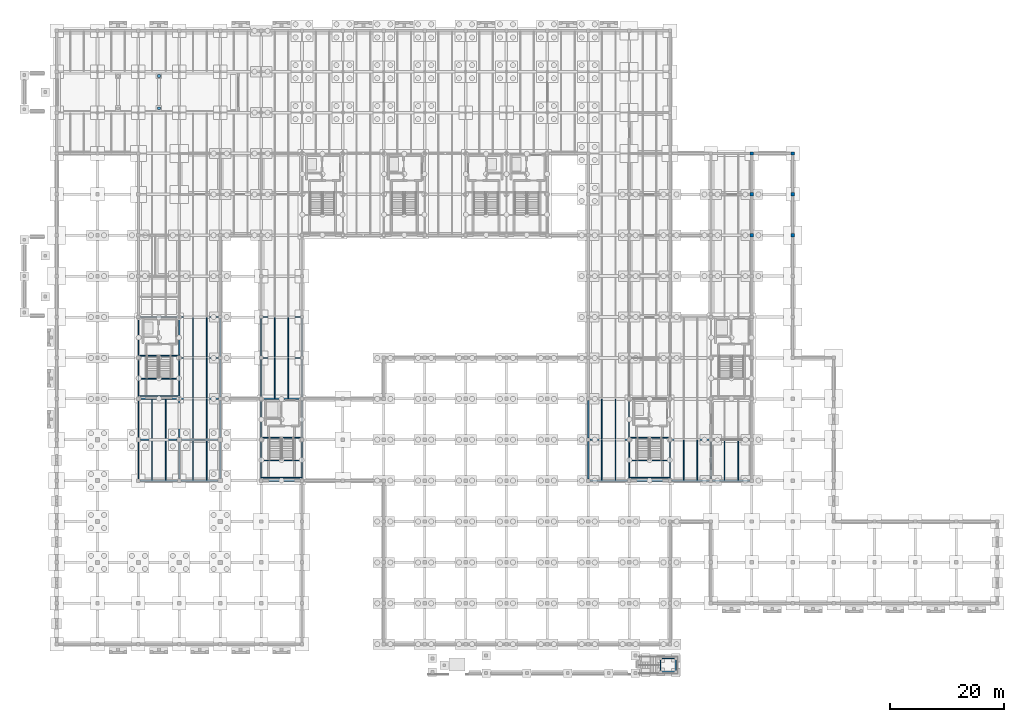
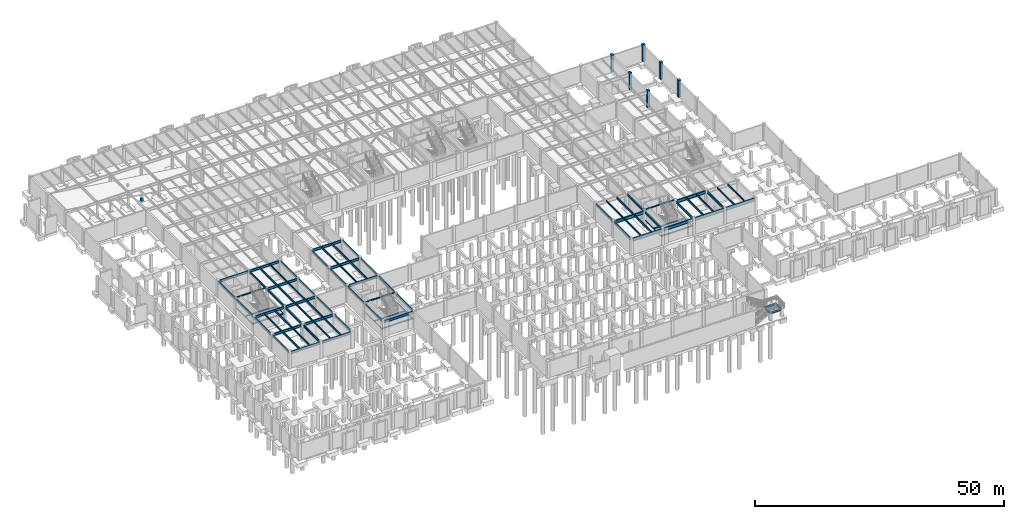
# One storey, part 23 of 46: 88 beams, 8 columns.
"""IFC4 building model written with IfcOpenShell, lengths in metres."""

from ifc_helpers import new_model, si_unit, direction, frame, origin, origin_2d, place, context, subcontext, project, spatial, rectangle, i_section, extrude, material, material_profile, profile_set, type_object, element, save


model = new_model("IFC4")

# Units and contexts
model_context = context("Model", 3, precision=1e-05, world=origin(), true_north=direction((0.0, 1.0)))
body_context = subcontext(model_context, "Body", "Model", "MODEL_VIEW")
ifc_project = project(units=[si_unit("LENGTHUNIT", "METRE"), si_unit("AREAUNIT", "SQUARE_METRE"), si_unit("VOLUMEUNIT", "CUBIC_METRE"), si_unit("PLANEANGLEUNIT", "RADIAN"), si_unit("MASSUNIT", "GRAM", prefix="KILO")], contexts=[model_context])

# Site, building, storey
site_placement = place(None, origin())
site = spatial("IfcSite", under=ifc_project, at=site_placement, CompositionType="ELEMENT")
building_placement = place(site_placement, origin())
building = spatial("IfcBuilding", under=site, at=building_placement, Name="Sillqori Civic Hall", CompositionType="ELEMENT")
storey_placement = place(building_placement, frame((0.0, 0.0, -4.199951171875)))
storey = spatial("IfcBuildingStorey", under=building, at=storey_placement, Name="B01", CompositionType="ELEMENT", Elevation=-4.199951171875)

# Columns
ifc_material_1 = material(Name="Concrete C35/45 (H35)", Category="concrete")
ifc_material_profile_1 = material_profile(ifc_material_1, rectangle(XDim=0.5, YDim=0.5, at=origin_2d()), Name="RC 500x500")
ifc_profile_set_1 = profile_set([ifc_material_profile_1], Name="Concrete C35/45 (H35)")
column_type_1 = type_object("IfcColumnType", Name="COL-RC500", PredefinedType="COLUMN", material=ifc_profile_set_1)
for number, where, z_axis, x_axis, name in (
    (1, (25.199951171875, 101.550048828125, 0.0), (0.0, 0.0, 1.0), (1.0, 0.0, 0.0), "Vehicle ramp bent 2 pier 1"),
    (2, (25.199951171875, 107.25, 0.0), (0.0, 0.0, 1.0), (1.0, 0.0, 0.0), "Vehicle ramp bent 2 pier 2"),
):
    element("IfcColumn", number, at=place(storey_placement, frame(where, z_axis=z_axis, x_axis=x_axis)), inside=storey, type_object=column_type_1, Name=name, PredefinedType="COLUMN", context=body_context, shape_type="SweptSolid", body=[
        extrude(rectangle(XDim=0.5, YDim=0.5, at=origin_2d()), origin(), (0.0, 0.0, 1.0), 0.6982421875),
    ])
ifc_material_profile_2 = material_profile(ifc_material_1, rectangle(XDim=0.60009765625, YDim=0.60009765625, at=origin_2d()), Name="RC 600x600")
ifc_profile_set_2 = profile_set([ifc_material_profile_2], Name="Concrete C35/45 (H35)")
column_type_2 = type_object("IfcColumnType", Name="COL-RC600", PredefinedType="COLUMN", material=ifc_profile_set_2)
for number, where, z_axis, x_axis, name in (
    (3, (129.60009765625, 79.199951171875, 0.0), (0.0, 0.0, 1.0), (1.0, 0.0, 0.0), "B01 column 18-11"),
    (4, (129.60009765625, 86.39990234375, 0.0), (0.0, 0.0, 1.0), (1.0, 0.0, 0.0), "B01 column 18-12"),
    (5, (129.60009765625, 93.60009765625, 0.0), (0.0, 0.0, 1.0), (1.0, 0.0, 0.0), "B01 column 18-13"),
    (6, (136.800048828125, 79.199951171875, 0.0), (0.0, 0.0, 1.0), (1.0, 0.0, 0.0), "B01 column 19-11"),
    (7, (136.800048828125, 86.39990234375, 0.0), (0.0, 0.0, 1.0), (1.0, 0.0, 0.0), "B01 column 19-12"),
    (8, (136.800048828125, 93.60009765625, 0.0), (0.0, 0.0, 1.0), (1.0, 0.0, 0.0), "B01 column 19-13"),
):
    element("IfcColumn", number, at=place(storey_placement, frame(where, z_axis=z_axis, x_axis=x_axis)), inside=storey, type_object=column_type_2, Name=name, PredefinedType="COLUMN", context=body_context, shape_type="SweptSolid", body=[
        extrude(rectangle(XDim=0.60009765625, YDim=0.60009765625, at=origin_2d()), origin(), (0.0, 0.0, 1.0), 4.199951171875),
    ])

# Beams
ifc_material_2 = material(Name="Steel ASTM A992", Category="steel")
ifc_material_profile_3 = material_profile(ifc_material_2, i_section(OverallWidth=0.19091796875, OverallDepth=0.4599609375, WebThickness=0.010009765625, FlangeThickness=0.01611328125, FilletRadius=0.012939453125, at=origin_2d()), Name="W18X55")
ifc_profile_set_3 = profile_set([ifc_material_profile_3], Name="Steel ASTM A992")
beam_type_1 = type_object("IfcBeamType", Name="BM-W18X55", PredefinedType="BEAM", material=ifc_profile_set_3)
for number, where, z_axis, x_axis, name in (
    (9, (113.550048828125, 2.35009765625, 1.669921875), (1.0, 0.0, 0.0), (0.0, 1.0, 0.0), "Forecourt exterior stair landing beam 1"),
    (10, (113.550048828125, 4.64990234375, 1.669921875), (1.0, 0.0, 0.0), (0.0, 1.0, 0.0), "Forecourt exterior stair landing beam 2"),
):
    element("IfcBeam", number, at=place(storey_placement, frame(where, z_axis=z_axis, x_axis=x_axis)), inside=storey, type_object=beam_type_1, Name=name, PredefinedType="BEAM", context=body_context, shape_type="SweptSolid", body=[
        extrude(i_section(OverallWidth=0.19091796875, OverallDepth=0.4599609375, WebThickness=0.010009765625, FlangeThickness=0.01611328125, FilletRadius=0.012939453125, at=origin_2d()), origin(), (0.0, 0.0, 1.0), 2.64990234375),
    ])
for number, where, z_axis, x_axis, name in (
    (11, (113.550048828125, 2.35009765625, 1.669921875), (0.0, 1.0, 0.0), (-1.0, 0.0, 0.0), "Forecourt exterior stair landing beam 3"),
    (12, (116.199951171875, 2.35009765625, 1.669921875), (0.0, 1.0, 0.0), (-1.0, 0.0, 0.0), "Forecourt exterior stair landing beam 4"),
):
    element("IfcBeam", number, at=place(storey_placement, frame(where, z_axis=z_axis, x_axis=x_axis)), inside=storey, type_object=beam_type_1, Name=name, PredefinedType="BEAM", context=body_context, shape_type="SweptSolid", body=[
        extrude(i_section(OverallWidth=0.19091796875, OverallDepth=0.4599609375, WebThickness=0.010009765625, FlangeThickness=0.01611328125, FilletRadius=0.012939453125, at=origin_2d()), origin(), (0.0, 0.0, 1.0), 2.2998046875),
    ])
ifc_material_profile_4 = material_profile(ifc_material_2, i_section(OverallWidth=0.2099609375, OverallDepth=0.532958984375, WebThickness=0.01025390625, FlangeThickness=0.015625, FilletRadius=0.013916015625, at=origin_2d()), Name="W21X62")
ifc_profile_set_4 = profile_set([ifc_material_profile_4], Name="Steel ASTM A992")
beam_type_2 = type_object("IfcBeamType", Name="BM-W21X62", PredefinedType="BEAM", material=ifc_profile_set_4)
beam_1_placement = place(storey_placement, frame((21.60009765625, 36.2939453125, 3.71337890625), z_axis=(0.0, 1.0, 0.0), x_axis=(-1.0, 0.0, 0.0)))
element("IfcBeam", 13, at=beam_1_placement, inside=storey, type_object=beam_type_2, Name="B01 girder Y 3-5", PredefinedType="BEAM", context=body_context, shape_type="SweptSolid", body=[
    extrude(i_section(OverallWidth=0.2099609375, OverallDepth=0.532958984375, WebThickness=0.01025390625, FlangeThickness=0.015625, FilletRadius=0.013916015625, at=origin_2d()), origin(), (0.0, 0.0, 1.0), 6.537109375),
])
beam_2_placement = place(storey_placement, frame((21.60009765625, 43.569091796875, 3.71337890625), z_axis=(0.0, 1.0, 0.0), x_axis=(-1.0, 0.0, 0.0)))
element("IfcBeam", 14, at=beam_2_placement, inside=storey, type_object=beam_type_2, Name="B01 girder Y 3-6", PredefinedType="BEAM", context=body_context, shape_type="SweptSolid", body=[
    extrude(i_section(OverallWidth=0.2099609375, OverallDepth=0.532958984375, WebThickness=0.01025390625, FlangeThickness=0.015625, FilletRadius=0.013916015625, at=origin_2d()), origin(), (0.0, 0.0, 1.0), 6.536865234375),
])
beam_3_placement = place(storey_placement, frame((21.60009765625, 50.694091796875, 3.71337890625), z_axis=(0.0, 1.0, 0.0), x_axis=(-1.0, 0.0, 0.0)))
element("IfcBeam", 15, at=beam_3_placement, inside=storey, type_object=beam_type_2, Name="B01 girder Y 3-7", PredefinedType="BEAM", context=body_context, shape_type="SweptSolid", body=[
    extrude(i_section(OverallWidth=0.2099609375, OverallDepth=0.532958984375, WebThickness=0.01025390625, FlangeThickness=0.015625, FilletRadius=0.013916015625, at=origin_2d()), origin(), (0.0, 0.0, 1.0), 6.61181640625),
])
beam_4_placement = place(storey_placement, frame((21.60009765625, 57.89404296875, 3.71337890625), z_axis=(0.0, 1.0, 0.0), x_axis=(-1.0, 0.0, 0.0)))
element("IfcBeam", 16, at=beam_4_placement, inside=storey, type_object=beam_type_2, Name="B01 girder Y 3-8", PredefinedType="BEAM", context=body_context, shape_type="SweptSolid", body=[
    extrude(i_section(OverallWidth=0.2099609375, OverallDepth=0.532958984375, WebThickness=0.01025390625, FlangeThickness=0.015625, FilletRadius=0.013916015625, at=origin_2d()), origin(), (0.0, 0.0, 1.0), 6.612060546875),
])
beam_5_placement = place(storey_placement, frame((28.800048828125, 36.2939453125, 3.71337890625), z_axis=(0.0, 1.0, 0.0), x_axis=(-1.0, 0.0, 0.0)))
element("IfcBeam", 17, at=beam_5_placement, inside=storey, type_object=beam_type_2, Name="B01 girder Y 4-5", PredefinedType="BEAM", context=body_context, shape_type="SweptSolid", body=[
    extrude(i_section(OverallWidth=0.2099609375, OverallDepth=0.532958984375, WebThickness=0.01025390625, FlangeThickness=0.015625, FilletRadius=0.013916015625, at=origin_2d()), origin(), (0.0, 0.0, 1.0), 6.537109375),
])
beam_6_placement = place(storey_placement, frame((28.800048828125, 43.569091796875, 3.71337890625), z_axis=(0.0, 1.0, 0.0), x_axis=(-1.0, 0.0, 0.0)))
element("IfcBeam", 18, at=beam_6_placement, inside=storey, type_object=beam_type_2, Name="B01 girder Y 4-6", PredefinedType="BEAM", context=body_context, shape_type="SweptSolid", body=[
    extrude(i_section(OverallWidth=0.2099609375, OverallDepth=0.532958984375, WebThickness=0.01025390625, FlangeThickness=0.015625, FilletRadius=0.013916015625, at=origin_2d()), origin(), (0.0, 0.0, 1.0), 6.639892578125),
])
for number, where, z_axis, x_axis, name in (
    (19, (28.800048828125, 50.591064453125, 3.71337890625), (0.0, 1.0, 0.0), (-1.0, 0.0, 0.0), "B01 girder Y 4-7"),
    (20, (28.800048828125, 57.791015625, 3.71337890625), (0.0, 1.0, 0.0), (-1.0, 0.0, 0.0), "B01 girder Y 4-8"),
):
    element("IfcBeam", number, at=place(storey_placement, frame(where, z_axis=z_axis, x_axis=x_axis)), inside=storey, type_object=beam_type_2, Name=name, PredefinedType="BEAM", context=body_context, shape_type="SweptSolid", body=[
        extrude(i_section(OverallWidth=0.2099609375, OverallDepth=0.532958984375, WebThickness=0.01025390625, FlangeThickness=0.015625, FilletRadius=0.013916015625, at=origin_2d()), origin(), (0.0, 0.0, 1.0), 6.81787109375),
    ])
beam_7_placement = place(storey_placement, frame((36.0, 36.368896484375, 3.71337890625), z_axis=(0.0, 1.0, 0.0), x_axis=(-1.0, 0.0, 0.0)))
element("IfcBeam", 21, at=beam_7_placement, inside=storey, type_object=beam_type_2, Name="B01 girder Y 5-5", PredefinedType="BEAM", context=body_context, shape_type="SweptSolid", body=[
    extrude(i_section(OverallWidth=0.2099609375, OverallDepth=0.532958984375, WebThickness=0.01025390625, FlangeThickness=0.015625, FilletRadius=0.013916015625, at=origin_2d()), origin(), (0.0, 0.0, 1.0), 6.462158203125),
])
beam_8_placement = place(storey_placement, frame((36.0, 43.569091796875, 3.71337890625), z_axis=(0.0, 1.0, 0.0), x_axis=(-1.0, 0.0, 0.0)))
element("IfcBeam", 22, at=beam_8_placement, inside=storey, type_object=beam_type_2, Name="B01 girder Y 5-6", PredefinedType="BEAM", context=body_context, shape_type="SweptSolid", body=[
    extrude(i_section(OverallWidth=0.2099609375, OverallDepth=0.532958984375, WebThickness=0.01025390625, FlangeThickness=0.015625, FilletRadius=0.013916015625, at=origin_2d()), origin(), (0.0, 0.0, 1.0), 6.536865234375),
])
beam_9_placement = place(storey_placement, frame((36.0, 50.694091796875, 3.71337890625), z_axis=(0.0, 1.0, 0.0), x_axis=(-1.0, 0.0, 0.0)))
element("IfcBeam", 23, at=beam_9_placement, inside=storey, type_object=beam_type_2, Name="B01 girder Y 5-7", PredefinedType="BEAM", context=body_context, shape_type="SweptSolid", body=[
    extrude(i_section(OverallWidth=0.2099609375, OverallDepth=0.532958984375, WebThickness=0.01025390625, FlangeThickness=0.015625, FilletRadius=0.013916015625, at=origin_2d()), origin(), (0.0, 0.0, 1.0), 6.61181640625),
])
for number, where, z_axis, x_axis, name in (
    (24, (36.0, 57.89404296875, 3.71337890625), (0.0, 1.0, 0.0), (-1.0, 0.0, 0.0), "B01 girder Y 5-8"),
    (25, (43.199951171875, 36.2939453125, 3.71337890625), (0.0, 1.0, 0.0), (-1.0, 0.0, 0.0), "B01 girder Y 6-5"),
    (26, (43.199951171875, 43.493896484375, 3.71337890625), (0.0, 1.0, 0.0), (-1.0, 0.0, 0.0), "B01 girder Y 6-6"),
):
    element("IfcBeam", number, at=place(storey_placement, frame(where, z_axis=z_axis, x_axis=x_axis)), inside=storey, type_object=beam_type_2, Name=name, PredefinedType="BEAM", context=body_context, shape_type="SweptSolid", body=[
        extrude(i_section(OverallWidth=0.2099609375, OverallDepth=0.532958984375, WebThickness=0.01025390625, FlangeThickness=0.015625, FilletRadius=0.013916015625, at=origin_2d()), origin(), (0.0, 0.0, 1.0), 6.612060546875),
    ])
beam_10_placement = place(storey_placement, frame((43.199951171875, 50.694091796875, 3.71337890625), z_axis=(0.0, 1.0, 0.0), x_axis=(-1.0, 0.0, 0.0)))
element("IfcBeam", 27, at=beam_10_placement, inside=storey, type_object=beam_type_2, Name="B01 girder Y 6-7", PredefinedType="BEAM", context=body_context, shape_type="SweptSolid", body=[
    extrude(i_section(OverallWidth=0.2099609375, OverallDepth=0.532958984375, WebThickness=0.01025390625, FlangeThickness=0.015625, FilletRadius=0.013916015625, at=origin_2d()), origin(), (0.0, 0.0, 1.0), 6.61181640625),
])
for number, where, z_axis, x_axis, name in (
    (28, (43.199951171875, 57.89404296875, 3.71337890625), (0.0, 1.0, 0.0), (-1.0, 0.0, 0.0), "B01 girder Y 6-8"),
    (29, (50.39990234375, 36.2939453125, 3.71337890625), (0.0, 1.0, 0.0), (-1.0, 0.0, 0.0), "B01 girder Y 7-5"),
    (30, (50.39990234375, 43.493896484375, 3.71337890625), (0.0, 1.0, 0.0), (-1.0, 0.0, 0.0), "B01 girder Y 7-6"),
):
    element("IfcBeam", number, at=place(storey_placement, frame(where, z_axis=z_axis, x_axis=x_axis)), inside=storey, type_object=beam_type_2, Name=name, PredefinedType="BEAM", context=body_context, shape_type="SweptSolid", body=[
        extrude(i_section(OverallWidth=0.2099609375, OverallDepth=0.532958984375, WebThickness=0.01025390625, FlangeThickness=0.015625, FilletRadius=0.013916015625, at=origin_2d()), origin(), (0.0, 0.0, 1.0), 6.612060546875),
    ])
beam_11_placement = place(storey_placement, frame((50.39990234375, 50.694091796875, 3.71337890625), z_axis=(0.0, 1.0, 0.0), x_axis=(-1.0, 0.0, 0.0)))
element("IfcBeam", 31, at=beam_11_placement, inside=storey, type_object=beam_type_2, Name="B01 girder Y 7-7", PredefinedType="BEAM", context=body_context, shape_type="SweptSolid", body=[
    extrude(i_section(OverallWidth=0.2099609375, OverallDepth=0.532958984375, WebThickness=0.01025390625, FlangeThickness=0.015625, FilletRadius=0.013916015625, at=origin_2d()), origin(), (0.0, 0.0, 1.0), 6.61181640625),
])
for number, where, z_axis, x_axis, name in (
    (32, (50.39990234375, 57.89404296875, 3.71337890625), (0.0, 1.0, 0.0), (-1.0, 0.0, 0.0), "B01 girder Y 7-8"),
    (33, (100.800048828125, 36.2939453125, 3.71337890625), (0.0, 1.0, 0.0), (-1.0, 0.0, 0.0), "B01 girder Y 14-5"),
    (34, (100.800048828125, 43.493896484375, 3.71337890625), (0.0, 1.0, 0.0), (-1.0, 0.0, 0.0), "B01 girder Y 14-6"),
    (35, (108.0, 36.2939453125, 3.71337890625), (0.0, 1.0, 0.0), (-1.0, 0.0, 0.0), "B01 girder Y 15-5"),
    (36, (108.0, 43.493896484375, 3.71337890625), (0.0, 1.0, 0.0), (-1.0, 0.0, 0.0), "B01 girder Y 15-6"),
    (37, (115.199951171875, 36.2939453125, 3.71337890625), (0.0, 1.0, 0.0), (-1.0, 0.0, 0.0), "B01 girder Y 16-5"),
    (38, (122.39990234375, 36.2939453125, 3.71337890625), (0.0, 1.0, 0.0), (-1.0, 0.0, 0.0), "B01 girder Y 17-5"),
):
    element("IfcBeam", number, at=place(storey_placement, frame(where, z_axis=z_axis, x_axis=x_axis)), inside=storey, type_object=beam_type_2, Name=name, PredefinedType="BEAM", context=body_context, shape_type="SweptSolid", body=[
        extrude(i_section(OverallWidth=0.2099609375, OverallDepth=0.532958984375, WebThickness=0.01025390625, FlangeThickness=0.015625, FilletRadius=0.013916015625, at=origin_2d()), origin(), (0.0, 0.0, 1.0), 6.612060546875),
    ])
ifc_material_profile_5 = material_profile(ifc_material_2, i_section(OverallWidth=0.22802734375, OverallDepth=0.60205078125, WebThickness=0.010498046875, FlangeThickness=0.014892578125, FilletRadius=0.014892578125, at=origin_2d()), Name="W24X68")
ifc_profile_set_5 = profile_set([ifc_material_profile_5], Name="Steel ASTM A992")
beam_type_3 = type_object("IfcBeamType", Name="BM-W24X68", PredefinedType="BEAM", material=ifc_profile_set_5)
beam_12_placement = place(storey_placement, frame((21.89404296875, 36.0, 3.678955078125), z_axis=(1.0, 0.0, 0.0), x_axis=(0.0, 1.0, 0.0)))
element("IfcBeam", 39, at=beam_12_placement, inside=storey, type_object=beam_type_3, Name="B01 girder X 3-5", PredefinedType="BEAM", context=body_context, shape_type="SweptSolid", body=[
    extrude(i_section(OverallWidth=0.22802734375, OverallDepth=0.60205078125, WebThickness=0.010498046875, FlangeThickness=0.014892578125, FilletRadius=0.014892578125, at=origin_2d()), origin(), (0.0, 0.0, 1.0), 6.612060546875),
])
beam_13_placement = place(storey_placement, frame((21.968994140625, 43.199951171875, 3.678955078125), z_axis=(1.0, 0.0, 0.0), x_axis=(0.0, 1.0, 0.0)))
element("IfcBeam", 40, at=beam_13_placement, inside=storey, type_object=beam_type_3, Name="B01 girder X 3-6", PredefinedType="BEAM", context=body_context, shape_type="SweptSolid", body=[
    extrude(i_section(OverallWidth=0.22802734375, OverallDepth=0.60205078125, WebThickness=0.010498046875, FlangeThickness=0.014892578125, FilletRadius=0.014892578125, at=origin_2d()), origin(), (0.0, 0.0, 1.0), 6.4619140625),
])
for number, where, z_axis, x_axis, name in (
    (41, (21.89404296875, 50.39990234375, 3.678955078125), (1.0, 0.0, 0.0), (0.0, 1.0, 0.0), "B01 girder X 3-7"),
    (42, (21.89404296875, 64.800048828125, 3.678955078125), (1.0, 0.0, 0.0), (0.0, 1.0, 0.0), "B01 girder X 3-9"),
):
    element("IfcBeam", number, at=place(storey_placement, frame(where, z_axis=z_axis, x_axis=x_axis)), inside=storey, type_object=beam_type_3, Name=name, PredefinedType="BEAM", context=body_context, shape_type="SweptSolid", body=[
        extrude(i_section(OverallWidth=0.22802734375, OverallDepth=0.60205078125, WebThickness=0.010498046875, FlangeThickness=0.014892578125, FilletRadius=0.014892578125, at=origin_2d()), origin(), (0.0, 0.0, 1.0), 6.71240234375),
    ])
beam_14_placement = place(storey_placement, frame((29.093994140625, 36.0, 3.678955078125), z_axis=(1.0, 0.0, 0.0), x_axis=(0.0, 1.0, 0.0)))
element("IfcBeam", 43, at=beam_14_placement, inside=storey, type_object=beam_type_3, Name="B01 girder X 4-5", PredefinedType="BEAM", context=body_context, shape_type="SweptSolid", body=[
    extrude(i_section(OverallWidth=0.22802734375, OverallDepth=0.60205078125, WebThickness=0.010498046875, FlangeThickness=0.014892578125, FilletRadius=0.014892578125, at=origin_2d()), origin(), (0.0, 0.0, 1.0), 6.537109375),
])
beam_15_placement = place(storey_placement, frame((29.1689453125, 43.199951171875, 3.678955078125), z_axis=(1.0, 0.0, 0.0), x_axis=(0.0, 1.0, 0.0)))
element("IfcBeam", 44, at=beam_15_placement, inside=storey, type_object=beam_type_3, Name="B01 girder X 4-6", PredefinedType="BEAM", context=body_context, shape_type="SweptSolid", body=[
    extrude(i_section(OverallWidth=0.22802734375, OverallDepth=0.60205078125, WebThickness=0.010498046875, FlangeThickness=0.014892578125, FilletRadius=0.014892578125, at=origin_2d()), origin(), (0.0, 0.0, 1.0), 6.462158203125),
])
for number, where, z_axis, x_axis, name in (
    (45, (28.993408203125, 50.39990234375, 3.678955078125), (1.0, 0.0, 0.0), (0.0, 1.0, 0.0), "B01 girder X 4-7"),
    (46, (28.993408203125, 57.60009765625, 3.678955078125), (1.0, 0.0, 0.0), (0.0, 1.0, 0.0), "B01 girder X 4-8"),
    (47, (28.993408203125, 64.800048828125, 3.678955078125), (1.0, 0.0, 0.0), (0.0, 1.0, 0.0), "B01 girder X 4-9"),
):
    element("IfcBeam", number, at=place(storey_placement, frame(where, z_axis=z_axis, x_axis=x_axis)), inside=storey, type_object=beam_type_3, Name=name, PredefinedType="BEAM", context=body_context, shape_type="SweptSolid", body=[
        extrude(i_section(OverallWidth=0.22802734375, OverallDepth=0.60205078125, WebThickness=0.010498046875, FlangeThickness=0.014892578125, FilletRadius=0.014892578125, at=origin_2d()), origin(), (0.0, 0.0, 1.0), 6.712646484375),
    ])
for number, where, z_axis, x_axis, name in (
    (48, (43.493896484375, 36.0, 3.678955078125), (1.0, 0.0, 0.0), (0.0, 1.0, 0.0), "B01 girder X 6-5"),
    (49, (43.493896484375, 50.39990234375, 3.678955078125), (1.0, 0.0, 0.0), (0.0, 1.0, 0.0), "B01 girder X 6-7"),
    (50, (43.493896484375, 57.60009765625, 3.678955078125), (1.0, 0.0, 0.0), (0.0, 1.0, 0.0), "B01 girder X 6-8"),
    (51, (43.493896484375, 64.800048828125, 3.678955078125), (1.0, 0.0, 0.0), (0.0, 1.0, 0.0), "B01 girder X 6-9"),
):
    element("IfcBeam", number, at=place(storey_placement, frame(where, z_axis=z_axis, x_axis=x_axis)), inside=storey, type_object=beam_type_3, Name=name, PredefinedType="BEAM", context=body_context, shape_type="SweptSolid", body=[
        extrude(i_section(OverallWidth=0.22802734375, OverallDepth=0.60205078125, WebThickness=0.010498046875, FlangeThickness=0.014892578125, FilletRadius=0.014892578125, at=origin_2d()), origin(), (0.0, 0.0, 1.0), 6.612060546875),
    ])
ifc_material_profile_6 = material_profile(ifc_material_2, i_section(OverallWidth=0.26708984375, OverallDepth=0.761962890625, WebThickness=0.014404296875, FlangeThickness=0.021484375, FilletRadius=0.01708984375, at=origin_2d()), Name="W30X116")
ifc_profile_set_6 = profile_set([ifc_material_profile_6], Name="Steel ASTM A992")
beam_type_4 = type_object("IfcBeamType", Name="BM-W30X116", PredefinedType="BEAM", material=ifc_profile_set_6)
for number, where, z_axis, x_axis, name in (
    (52, (101.093994140625, 36.0, 3.598876953125), (1.0, 0.0, 0.0), (0.0, 1.0, 0.0), "B01 girder X 14-5"),
    (53, (101.093994140625, 43.199951171875, 3.598876953125), (1.0, 0.0, 0.0), (0.0, 1.0, 0.0), "B01 girder X 14-6"),
    (54, (108.2939453125, 36.0, 3.598876953125), (1.0, 0.0, 0.0), (0.0, 1.0, 0.0), "B01 girder X 15-5"),
    (55, (115.493896484375, 36.0, 3.598876953125), (1.0, 0.0, 0.0), (0.0, 1.0, 0.0), "B01 girder X 16-5"),
    (56, (115.493896484375, 43.199951171875, 3.598876953125), (1.0, 0.0, 0.0), (0.0, 1.0, 0.0), "B01 girder X 16-6"),
):
    element("IfcBeam", number, at=place(storey_placement, frame(where, z_axis=z_axis, x_axis=x_axis)), inside=storey, type_object=beam_type_4, Name=name, PredefinedType="BEAM", context=body_context, shape_type="SweptSolid", body=[
        extrude(i_section(OverallWidth=0.26708984375, OverallDepth=0.761962890625, WebThickness=0.014404296875, FlangeThickness=0.021484375, FilletRadius=0.01708984375, at=origin_2d()), origin(), (0.0, 0.0, 1.0), 6.612060546875),
    ])
beam_16_placement = place(storey_placement, frame((122.694091796875, 36.0, 3.598876953125), z_axis=(1.0, 0.0, 0.0), x_axis=(0.0, 1.0, 0.0)))
element("IfcBeam", 57, at=beam_16_placement, inside=storey, type_object=beam_type_4, Name="B01 girder X 17-5", PredefinedType="BEAM", context=body_context, shape_type="SweptSolid", body=[
    extrude(i_section(OverallWidth=0.26708984375, OverallDepth=0.761962890625, WebThickness=0.014404296875, FlangeThickness=0.021484375, FilletRadius=0.01708984375, at=origin_2d()), origin(), (0.0, 0.0, 1.0), 6.61181640625),
])
ifc_material_profile_7 = material_profile(ifc_material_2, i_section(OverallWidth=0.153076171875, OverallDepth=0.455078125, WebThickness=0.008056640625, FlangeThickness=0.01318359375, FilletRadius=0.012939453125, at=origin_2d()), Name="W18X40")
ifc_profile_set_7 = profile_set([ifc_material_profile_7], Name="Steel ASTM A992")
beam_type_5 = type_object("IfcBeamType", Name="JS-W18X40", PredefinedType="JOIST", material=ifc_profile_set_7)
for number, where, z_axis, x_axis, name in (
    (58, (24.0, 36.094970703125, 3.75244140625), (0.0, 1.0, 0.0), (-1.0, 0.0, 0.0), "B01 composite joist 3-5.1"),
    (59, (26.39990234375, 36.094970703125, 3.75244140625), (0.0, 1.0, 0.0), (-1.0, 0.0, 0.0), "B01 composite joist 3-5.2"),
    (60, (24.0, 43.294921875, 3.75244140625), (0.0, 1.0, 0.0), (-1.0, 0.0, 0.0), "B01 composite joist 3-6.1"),
    (61, (26.39990234375, 43.294921875, 3.75244140625), (0.0, 1.0, 0.0), (-1.0, 0.0, 0.0), "B01 composite joist 3-6.2"),
    (62, (31.199951171875, 36.094970703125, 3.75244140625), (0.0, 1.0, 0.0), (-1.0, 0.0, 0.0), "B01 composite joist 4-5.1"),
    (63, (33.60009765625, 36.094970703125, 3.75244140625), (0.0, 1.0, 0.0), (-1.0, 0.0, 0.0), "B01 composite joist 4-5.2"),
    (64, (31.199951171875, 43.294921875, 3.75244140625), (0.0, 1.0, 0.0), (-1.0, 0.0, 0.0), "B01 composite joist 4-6.1"),
    (65, (33.60009765625, 43.294921875, 3.75244140625), (0.0, 1.0, 0.0), (-1.0, 0.0, 0.0), "B01 composite joist 4-6.2"),
):
    element("IfcBeam", number, at=place(storey_placement, frame(where, z_axis=z_axis, x_axis=x_axis)), inside=storey, type_object=beam_type_5, Name=name, PredefinedType="JOIST", context=body_context, shape_type="SweptSolid", body=[
        extrude(i_section(OverallWidth=0.153076171875, OverallDepth=0.455078125, WebThickness=0.008056640625, FlangeThickness=0.01318359375, FilletRadius=0.012939453125, at=origin_2d()), origin(), (0.0, 0.0, 1.0), 7.010009765625),
    ])
for number, where, z_axis, x_axis, name in (
    (66, (31.199951171875, 50.4951171875, 3.75244140625), (0.0, 1.0, 0.0), (-1.0, 0.0, 0.0), "B01 composite joist 4-7.1"),
    (67, (33.60009765625, 50.4951171875, 3.75244140625), (0.0, 1.0, 0.0), (-1.0, 0.0, 0.0), "B01 composite joist 4-7.2"),
):
    element("IfcBeam", number, at=place(storey_placement, frame(where, z_axis=z_axis, x_axis=x_axis)), inside=storey, type_object=beam_type_5, Name=name, PredefinedType="JOIST", context=body_context, shape_type="SweptSolid", body=[
        extrude(i_section(OverallWidth=0.153076171875, OverallDepth=0.455078125, WebThickness=0.008056640625, FlangeThickness=0.01318359375, FilletRadius=0.012939453125, at=origin_2d()), origin(), (0.0, 0.0, 1.0), 7.009765625),
    ])
for number, where, z_axis, x_axis, name in (
    (68, (31.199951171875, 57.695068359375, 3.75244140625), (0.0, 1.0, 0.0), (-1.0, 0.0, 0.0), "B01 composite joist 4-8.1"),
    (69, (33.60009765625, 57.695068359375, 3.75244140625), (0.0, 1.0, 0.0), (-1.0, 0.0, 0.0), "B01 composite joist 4-8.2"),
):
    element("IfcBeam", number, at=place(storey_placement, frame(where, z_axis=z_axis, x_axis=x_axis)), inside=storey, type_object=beam_type_5, Name=name, PredefinedType="JOIST", context=body_context, shape_type="SweptSolid", body=[
        extrude(i_section(OverallWidth=0.153076171875, OverallDepth=0.455078125, WebThickness=0.008056640625, FlangeThickness=0.01318359375, FilletRadius=0.012939453125, at=origin_2d()), origin(), (0.0, 0.0, 1.0), 7.010009765625),
    ])
for number, where, z_axis, x_axis, name in (
    (70, (45.60009765625, 50.4951171875, 3.75244140625), (0.0, 1.0, 0.0), (-1.0, 0.0, 0.0), "B01 composite joist 6-7.1"),
    (71, (48.0, 50.4951171875, 3.75244140625), (0.0, 1.0, 0.0), (-1.0, 0.0, 0.0), "B01 composite joist 6-7.2"),
):
    element("IfcBeam", number, at=place(storey_placement, frame(where, z_axis=z_axis, x_axis=x_axis)), inside=storey, type_object=beam_type_5, Name=name, PredefinedType="JOIST", context=body_context, shape_type="SweptSolid", body=[
        extrude(i_section(OverallWidth=0.153076171875, OverallDepth=0.455078125, WebThickness=0.008056640625, FlangeThickness=0.01318359375, FilletRadius=0.012939453125, at=origin_2d()), origin(), (0.0, 0.0, 1.0), 7.009765625),
    ])
for number, where, z_axis, x_axis, name in (
    (72, (45.60009765625, 57.695068359375, 3.75244140625), (0.0, 1.0, 0.0), (-1.0, 0.0, 0.0), "B01 composite joist 6-8.1"),
    (73, (48.0, 57.695068359375, 3.75244140625), (0.0, 1.0, 0.0), (-1.0, 0.0, 0.0), "B01 composite joist 6-8.2"),
    (74, (103.199951171875, 36.094970703125, 3.75244140625), (0.0, 1.0, 0.0), (-1.0, 0.0, 0.0), "B01 composite joist 14-5.1"),
    (75, (105.60009765625, 36.094970703125, 3.75244140625), (0.0, 1.0, 0.0), (-1.0, 0.0, 0.0), "B01 composite joist 14-5.2"),
    (76, (103.199951171875, 43.294921875, 3.75244140625), (0.0, 1.0, 0.0), (-1.0, 0.0, 0.0), "B01 composite joist 14-6.1"),
    (77, (105.60009765625, 43.294921875, 3.75244140625), (0.0, 1.0, 0.0), (-1.0, 0.0, 0.0), "B01 composite joist 14-6.2"),
    (78, (117.60009765625, 36.094970703125, 3.75244140625), (0.0, 1.0, 0.0), (-1.0, 0.0, 0.0), "B01 composite joist 16-5.1"),
    (79, (120.0, 36.094970703125, 3.75244140625), (0.0, 1.0, 0.0), (-1.0, 0.0, 0.0), "B01 composite joist 16-5.2"),
    (80, (124.800048828125, 36.094970703125, 3.75244140625), (0.0, 1.0, 0.0), (-1.0, 0.0, 0.0), "B01 composite joist 17-5.1"),
    (81, (127.199951171875, 36.094970703125, 3.75244140625), (0.0, 1.0, 0.0), (-1.0, 0.0, 0.0), "B01 composite joist 17-5.2"),
):
    element("IfcBeam", number, at=place(storey_placement, frame(where, z_axis=z_axis, x_axis=x_axis)), inside=storey, type_object=beam_type_5, Name=name, PredefinedType="JOIST", context=body_context, shape_type="SweptSolid", body=[
        extrude(i_section(OverallWidth=0.153076171875, OverallDepth=0.455078125, WebThickness=0.008056640625, FlangeThickness=0.01318359375, FilletRadius=0.012939453125, at=origin_2d()), origin(), (0.0, 0.0, 1.0), 7.010009765625),
    ])
ifc_material_profile_8 = material_profile(ifc_material_2, i_section(OverallWidth=0.133056640625, OverallDepth=0.20703125, WebThickness=0.005859375, FlangeThickness=0.00830078125, FilletRadius=0.008056640625, at=origin_2d()), Name="W8X18")
ifc_profile_set_8 = profile_set([ifc_material_profile_8], Name="Steel ASTM A992")
beam_type_6 = type_object("IfcBeamType", Name="LN-W8X18", PredefinedType="LINTEL", material=ifc_profile_set_8)
for number, where, z_axis, x_axis, name in (
    (82, (43.199951171875, 36.2939453125, 1.782470703125), (0.0, 1.0, 0.0), (-1.0, 0.0, 0.0), "B01 grid 6 stair landing stringer 1"),
    (83, (50.39990234375, 36.2939453125, 1.782470703125), (0.0, 1.0, 0.0), (-1.0, 0.0, 0.0), "B01 grid 7 stair landing stringer 1"),
):
    element("IfcBeam", number, at=place(storey_placement, frame(where, z_axis=z_axis, x_axis=x_axis)), inside=storey, type_object=beam_type_6, Name=name, PredefinedType="LINTEL", context=body_context, shape_type="SweptSolid", body=[
        extrude(i_section(OverallWidth=0.133056640625, OverallDepth=0.20703125, WebThickness=0.005859375, FlangeThickness=0.00830078125, FilletRadius=0.008056640625, at=origin_2d()), origin(), (0.0, 0.0, 1.0), 6.612060546875),
    ])
for number, where, z_axis, x_axis, name in (
    (84, (43.25, 36.4951171875, 1.782470703125), (1.0, 0.0, 0.0), (0.0, 1.0, 0.0), "B01 C1 stair half-landing steel ledger 1.1"),
    (85, (43.25, 39.550048828125, 1.782470703125), (1.0, 0.0, 0.0), (0.0, 1.0, 0.0), "B01 C1 stair half-landing steel ledger 1.2"),
    (86, (43.25, 43.570068359375, 3.882568359375), (1.0, 0.0, 0.0), (0.0, 1.0, 0.0), "B01 C1 stair upper arrival steel trimmer"),
):
    element("IfcBeam", number, at=place(storey_placement, frame(where, z_axis=z_axis, x_axis=x_axis)), inside=storey, type_object=beam_type_6, Name=name, PredefinedType="LINTEL", context=body_context, shape_type="SweptSolid", body=[
        extrude(i_section(OverallWidth=0.133056640625, OverallDepth=0.20703125, WebThickness=0.005859375, FlangeThickness=0.00830078125, FilletRadius=0.008056640625, at=origin_2d()), origin(), (0.0, 0.0, 1.0), 7.10009765625),
    ])
for number, where, z_axis, x_axis, name in (
    (87, (108.0, 36.2939453125, 1.782470703125), (0.0, 1.0, 0.0), (-1.0, 0.0, 0.0), "B01 grid 15 stair landing stringer 1"),
    (88, (115.199951171875, 36.2939453125, 1.782470703125), (0.0, 1.0, 0.0), (-1.0, 0.0, 0.0), "B01 grid 16 stair landing stringer 1"),
):
    element("IfcBeam", number, at=place(storey_placement, frame(where, z_axis=z_axis, x_axis=x_axis)), inside=storey, type_object=beam_type_6, Name=name, PredefinedType="LINTEL", context=body_context, shape_type="SweptSolid", body=[
        extrude(i_section(OverallWidth=0.133056640625, OverallDepth=0.20703125, WebThickness=0.005859375, FlangeThickness=0.00830078125, FilletRadius=0.008056640625, at=origin_2d()), origin(), (0.0, 0.0, 1.0), 6.612060546875),
    ])
for number, where, z_axis, x_axis, name in (
    (89, (108.050048828125, 36.4951171875, 1.782470703125), (1.0, 0.0, 0.0), (0.0, 1.0, 0.0), "B01 C3 stair half-landing steel ledger 1.1"),
    (90, (108.050048828125, 39.550048828125, 1.782470703125), (1.0, 0.0, 0.0), (0.0, 1.0, 0.0), "B01 C3 stair half-landing steel ledger 1.2"),
    (91, (108.050048828125, 43.570068359375, 3.882568359375), (1.0, 0.0, 0.0), (0.0, 1.0, 0.0), "B01 C3 stair upper arrival steel trimmer"),
):
    element("IfcBeam", number, at=place(storey_placement, frame(where, z_axis=z_axis, x_axis=x_axis)), inside=storey, type_object=beam_type_6, Name=name, PredefinedType="LINTEL", context=body_context, shape_type="SweptSolid", body=[
        extrude(i_section(OverallWidth=0.133056640625, OverallDepth=0.20703125, WebThickness=0.005859375, FlangeThickness=0.00830078125, FilletRadius=0.008056640625, at=origin_2d()), origin(), (0.0, 0.0, 1.0), 7.099853515625),
    ])
beam_17_placement = place(storey_placement, frame((21.60009765625, 50.694091796875, 1.782470703125), z_axis=(0.0, 1.0, 0.0), x_axis=(-1.0, 0.0, 0.0)))
element("IfcBeam", 92, at=beam_17_placement, inside=storey, type_object=beam_type_6, Name="B01 grid 3 stair landing stringer 1", PredefinedType="LINTEL", context=body_context, shape_type="SweptSolid", body=[
    extrude(i_section(OverallWidth=0.133056640625, OverallDepth=0.20703125, WebThickness=0.005859375, FlangeThickness=0.00830078125, FilletRadius=0.008056640625, at=origin_2d()), origin(), (0.0, 0.0, 1.0), 6.61181640625),
])
beam_18_placement = place(storey_placement, frame((28.800048828125, 50.591064453125, 1.782470703125), z_axis=(0.0, 1.0, 0.0), x_axis=(-1.0, 0.0, 0.0)))
element("IfcBeam", 93, at=beam_18_placement, inside=storey, type_object=beam_type_6, Name="B01 grid 4 stair landing stringer 1", PredefinedType="LINTEL", context=body_context, shape_type="SweptSolid", body=[
    extrude(i_section(OverallWidth=0.133056640625, OverallDepth=0.20703125, WebThickness=0.005859375, FlangeThickness=0.00830078125, FilletRadius=0.008056640625, at=origin_2d()), origin(), (0.0, 0.0, 1.0), 6.81787109375),
])
for number, where, z_axis, x_axis, name in (
    (94, (21.64990234375, 50.89501953125, 1.782470703125), (1.0, 0.0, 0.0), (0.0, 1.0, 0.0), "B01 C4 stair half-landing steel ledger 1.1"),
    (95, (21.64990234375, 53.949951171875, 1.782470703125), (1.0, 0.0, 0.0), (0.0, 1.0, 0.0), "B01 C4 stair half-landing steel ledger 1.2"),
    (96, (21.64990234375, 57.969970703125, 3.882568359375), (1.0, 0.0, 0.0), (0.0, 1.0, 0.0), "B01 C4 stair upper arrival steel trimmer"),
):
    element("IfcBeam", number, at=place(storey_placement, frame(where, z_axis=z_axis, x_axis=x_axis)), inside=storey, type_object=beam_type_6, Name=name, PredefinedType="LINTEL", context=body_context, shape_type="SweptSolid", body=[
        extrude(i_section(OverallWidth=0.133056640625, OverallDepth=0.20703125, WebThickness=0.005859375, FlangeThickness=0.00830078125, FilletRadius=0.008056640625, at=origin_2d()), origin(), (0.0, 0.0, 1.0), 7.10009765625),
    ])

save(model, "model.ifc")
